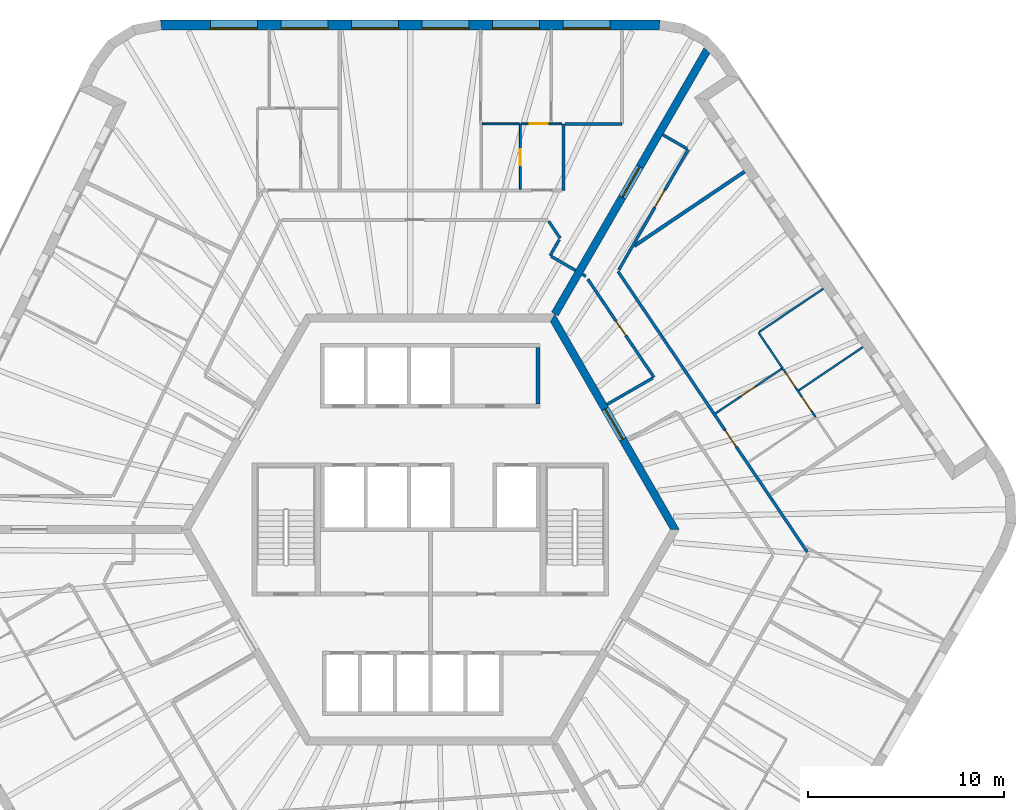
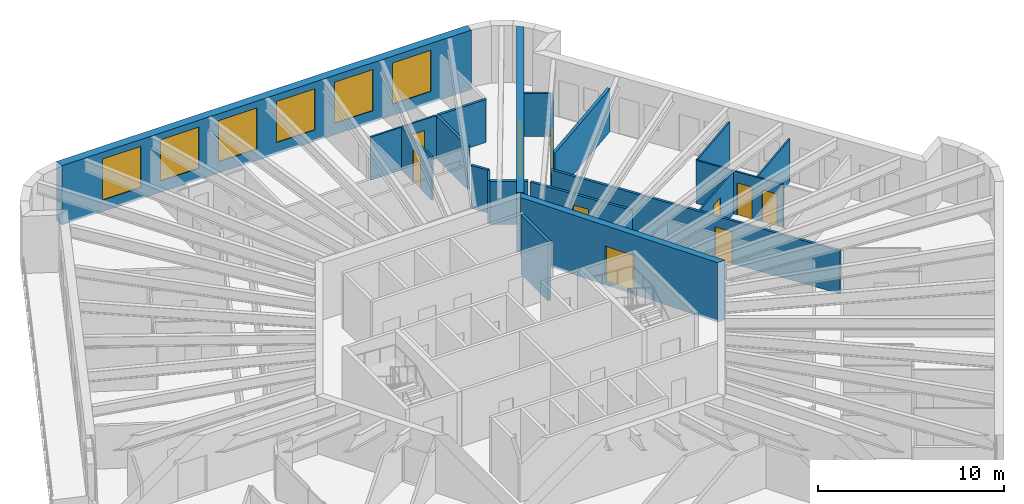
# One storey, part 10 of 12: 24 walls, 10 doors, 6 windows, 16 openings.
"""IFC4 building model written with IfcOpenShell, lengths in metres."""

from ifc_helpers import new_model, si_unit, direction, frame, frame_2d, origin, place, context, subcontext, project, spatial, polyline, rectangle, outline, extrude, material, layer, layer_set, type_object, element, fill, save


model = new_model("IFC4")

# Units and contexts
model_context = context("Model", 3, precision=1e-05, world=origin(), true_north=direction((0.0, 1.0)))
body_context = subcontext(model_context, "Body", "Model", "MODEL_VIEW")
ifc_project = project(units=[si_unit("LENGTHUNIT", "METRE"), si_unit("AREAUNIT", "SQUARE_METRE"), si_unit("VOLUMEUNIT", "CUBIC_METRE"), si_unit("PLANEANGLEUNIT", "RADIAN"), si_unit("MASSUNIT", "GRAM", prefix="KILO")], contexts=[model_context])

# Site, building, storey
site_placement = place(None, origin())
site = spatial("IfcSite", under=ifc_project, at=site_placement, CompositionType="ELEMENT")
building_placement = place(site_placement, origin())
building = spatial("IfcBuilding", under=site, at=building_placement, Name="Tarnside Tower", CompositionType="ELEMENT")
storey_placement = place(building_placement, frame((0.0, 0.0, 264.0)))
storey = spatial("IfcBuildingStorey", under=building, at=storey_placement, Name="L63", CompositionType="ELEMENT", Elevation=264.0)

# Wall, opening, door
ifc_material_1 = material(Name="Gypsum board partition on steel studs", Category="steel")
ifc_layer_1 = layer(ifc_material_1, 0.10009765625)
ifc_layer_set_1 = layer_set([ifc_layer_1], Name="Bathroom wall 100")
wall_type_1 = type_object("IfcWallType", Name="Bathroom wall 100", PredefinedType="PARTITIONING", material=ifc_layer_set_1)
wall_1_placement = place(storey_placement, frame((4.586181640625, 20.699951171875, 0.0), z_axis=(0.0, 0.0, 1.0), x_axis=(0.0, -1.0, 0.0)))
wall_1 = element("IfcWall", 1, at=wall_1_placement, inside=storey, type_object=wall_type_1, Name="Bathroom wall 20085", PredefinedType="PARTITIONING", context=body_context, shape_type="SweptSolid", body=[
    extrude(rectangle(XDim=3.324951171875, YDim=0.10009765625, at=frame_2d((1.66259765625, 0.0))), origin(), (0.0, 0.0, 1.0), 2.823486328125),
])
opening_1_placement = place(wall_1_placement, frame((1.300048828125, 0.0, 0.0)))
opening_1 = element("IfcOpeningElement", 2, at=opening_1_placement, cuts=wall_1, Name="Opening D-B1", PredefinedType="OPENING", context=body_context, shape_type="SweptSolid", body=[
    extrude(rectangle(XDim=0.800048828125, YDim=2.10009765625, at=frame_2d((0.39990234375, 1.050048828125))), frame((0.0, 0.06005859375, 0.0), z_axis=(0.0, -1.0, 0.0), x_axis=(1.0, 0.0, 0.0)), (0.0, 0.0, 1.0), 0.1201171875),
])
ifc_material_2 = material(Name="Timber door leaf", Category="wood")
door_type_1 = type_object("IfcDoorType", Name="Bathroom door 800", OperationType="NOTDEFINED", PredefinedType="DOOR", material=ifc_material_2)
door_1_placement = place(opening_1_placement, origin())
door_1 = element("IfcDoor", 3, at=door_1_placement, inside=storey, type_object=door_type_1, Name="Bathroom door 20002", OperationType="SINGLE_SWING_LEFT", OverallHeight=2.10009765625, OverallWidth=0.800048828125, PredefinedType="DOOR", context=body_context, shape_type="SweptSolid", body=[
    extrude(rectangle(XDim=0.800048828125, YDim=2.10009765625, at=frame_2d((0.39990234375, 1.050048828125))), frame((0.0, 0.02490234375, 0.0), z_axis=(0.0, -1.0, 0.0), x_axis=(1.0, 0.0, 0.0)), (0.0, 0.0, 1.0), 0.050048828125),
])
fill(opening_1, door_1)

# Wall
wall_2_placement = place(storey_placement, frame((4.5380859375, 20.699951171875, 0.0), z_axis=(0.0, 0.0, 1.0), x_axis=(-1.0, 0.0, 0.0)))
element("IfcWall", 4, at=wall_2_placement, inside=storey, type_object=wall_type_1, Name="Bathroom wall 20088", PredefinedType="PARTITIONING", context=body_context, shape_type="SweptSolid", body=[
    extrude(rectangle(XDim=1.904052734375, YDim=0.10009765625, at=frame_2d((0.9521484375, 0.0))), origin(), (0.0, 0.0, 1.0), 2.823486328125),
])

# Wall, opening, door
ifc_material_3 = material(Name="Concrete C60/75", Category="concrete")
ifc_layer_2 = layer(ifc_material_3, 0.39990234375)
ifc_layer_set_2 = layer_set([ifc_layer_2], Name="Core wall Z3 400 C60/75")
wall_type_2 = type_object("IfcWallType", Name="Core wall Z3 400 C60/75", PredefinedType="SHEAR", material=ifc_layer_set_2)
wall_3_placement = place(storey_placement, frame((12.470703125, 0.0, -0.14990234375), z_axis=(0.0, 0.0, 1.0), x_axis=(-0.499996419489, 0.866027470984, 0.0)))
wall_3 = element("IfcWall", 5, at=wall_3_placement, inside=storey, type_object=wall_type_2, Name="L63 core wall face 6", PredefinedType="SHEAR", context=body_context, shape_type="SweptSolid", body=[
    extrude(outline(polyline([(-0.115478515625, -0.199951171875), (12.586181640625, -0.199951171875), (12.355224609375, 0.199951171875), (0.115478515625, 0.199951171875), (-0.115478515625, -0.199951171875)])), origin(), (0.0, 0.0, 1.0), 3.89990234375),
])
opening_2_placement = place(wall_3_placement, frame((5.306396484375, 0.0, 0.14990234375)))
opening_2 = element("IfcOpeningElement", 6, at=opening_2_placement, cuts=wall_3, Name="Opening CD-LOB", PredefinedType="OPENING", context=body_context, shape_type="SweptSolid", body=[
    extrude(rectangle(XDim=1.800048828125, YDim=2.39990234375, at=frame_2d((0.89990234375, 1.199951171875))), frame((0.0, 0.2099609375, 0.0), z_axis=(0.0, -1.0, 0.0), x_axis=(1.0, 0.0, 0.0)), (0.0, 0.0, 1.0), 0.419921875),
])
ifc_material_4 = material(Name="Steel fire door", Category="steel")
door_type_2 = type_object("IfcDoorType", Name="Lobby double door FD30S 1800x2400", OperationType="NOTDEFINED", PredefinedType="DOOR", material=ifc_material_4)
door_2_placement = place(opening_2_placement, origin())
door_2 = element("IfcDoor", 7, at=door_2_placement, inside=storey, type_object=door_type_2, Name="L63 core door P2", OperationType="DOUBLE_DOOR_SINGLE_SWING", OverallHeight=2.39990234375, OverallWidth=1.800048828125, PredefinedType="DOOR", context=body_context, shape_type="SweptSolid", body=[
    extrude(rectangle(XDim=1.800048828125, YDim=2.39990234375, at=frame_2d((0.89990234375, 1.199951171875))), frame((0.0, 0.02490234375, 0.0), z_axis=(0.0, -1.0, 0.0), x_axis=(1.0, 0.0, 0.0)), (0.0, 0.0, 1.0), 0.050048828125),
])
fill(opening_2, door_2)

wall_4_placement = place(storey_placement, frame((6.350830078125, 11.0, -0.14990234375), z_axis=(0.0, 0.0, 1.0), x_axis=(0.499998894578, 0.866026041999, 0.0)))
wall_4 = element("IfcWall", 8, at=wall_4_placement, inside=storey, type_object=wall_type_2, Name="L63 spine wall 1", PredefinedType="SHEAR", context=body_context, shape_type="SweptSolid", body=[
    extrude(rectangle(XDim=15.54443359375, YDim=0.39990234375, at=frame_2d((7.772216796875, 0.0))), origin(), (0.0, 0.0, 1.0), 3.89990234375),
])
opening_3_placement = place(wall_4_placement, frame((6.872314453125, 0.0, 0.14990234375)))
opening_3 = element("IfcOpeningElement", 9, at=opening_3_placement, cuts=wall_4, Name="Opening CD-SPN", PredefinedType="OPENING", context=body_context, shape_type="SweptSolid", body=[
    extrude(rectangle(XDim=1.800048828125, YDim=2.39990234375, at=frame_2d((0.89990234375, 1.199951171875))), frame((0.0, 0.2099609375, 0.0), z_axis=(0.0, -1.0, 0.0), x_axis=(1.0, 0.0, 0.0)), (0.0, 0.0, 1.0), 0.419921875),
])
door_type_3 = type_object("IfcDoorType", Name="Spine passage double door FD60 1800x2400", OperationType="NOTDEFINED", PredefinedType="DOOR", material=ifc_material_4)
door_3_placement = place(opening_3_placement, origin())
door_3 = element("IfcDoor", 10, at=door_3_placement, inside=storey, type_object=door_type_3, Name="L63 spine passage door 1", OperationType="DOUBLE_DOOR_SINGLE_SWING", OverallHeight=2.39990234375, OverallWidth=1.800048828125, PredefinedType="DOOR", context=body_context, shape_type="SweptSolid", body=[
    extrude(rectangle(XDim=1.800048828125, YDim=2.39990234375, at=frame_2d((0.89990234375, 1.199951171875))), frame((0.0, 0.02490234375, 0.0), z_axis=(0.0, -1.0, 0.0), x_axis=(1.0, 0.0, 0.0)), (0.0, 0.0, 1.0), 0.050048828125),
])
fill(opening_3, door_3)

# Walls
ifc_layer_3 = layer(ifc_material_1, 0.14990234375)
ifc_layer_set_3 = layer_set([ifc_layer_3], Name="Corridor wall 150 EI 60")
wall_type_3 = type_object("IfcWallType", Name="Corridor wall 150 EI 60", PredefinedType="PARTITIONING", material=ifc_layer_set_3)
wall_5_placement = place(storey_placement, frame((6.7861328125, 20.699951171875, 0.0), z_axis=(0.0, 0.0, 1.0), x_axis=(0.0, -1.0, 0.0)))
element("IfcWall", 11, at=wall_5_placement, inside=storey, type_object=wall_type_3, Name="Corridor wall 20002", PredefinedType="PARTITIONING", context=body_context, shape_type="SweptSolid", body=[
    extrude(rectangle(XDim=3.39990234375, YDim=0.14990234375, at=frame_2d((1.699951171875, 0.0))), origin(), (0.0, 0.0, 1.0), 2.823486328125),
])
wall_6_placement = place(storey_placement, frame((9.77392578125, 20.699951171875, 0.0), z_axis=(0.0, 0.0, 1.0), x_axis=(-1.0, 0.0, 0.0)))
element("IfcWall", 12, at=wall_6_placement, inside=storey, type_object=wall_type_3, Name="Corridor wall 20005", PredefinedType="PARTITIONING", context=body_context, shape_type="SweptSolid", body=[
    extrude(rectangle(XDim=2.916259765625, YDim=0.14990234375, at=frame_2d((1.4580078125, 0.0))), origin(), (0.0, 0.0, 1.0), 2.823486328125),
])
wall_7_placement = place(storey_placement, frame((6.0390625, 15.72509765625, 0.0), z_axis=(0.0, 0.0, 1.0), x_axis=(0.559307154107, -0.828960498073, 0.0)))
element("IfcWall", 13, at=wall_7_placement, inside=storey, type_object=wall_type_3, Name="Corridor wall 20020", PredefinedType="PARTITIONING", context=body_context, shape_type="SweptSolid", body=[
    extrude(rectangle(XDim=1.03759765625, YDim=0.14990234375, at=frame_2d((0.518798828125, 0.0))), origin(), (0.0, 0.0, 1.0), 2.823486328125),
])
wall_8_placement = place(storey_placement, frame((6.57763671875, 14.792724609375, 0.0), z_axis=(0.0, 0.0, 1.0), x_axis=(-0.499998034377, -0.866026538634, 0.0)))
element("IfcWall", 14, at=wall_8_placement, inside=storey, type_object=wall_type_3, Name="Corridor wall 20021", PredefinedType="PARTITIONING", context=body_context, shape_type="SweptSolid", body=[
    extrude(rectangle(XDim=0.94580078125, YDim=0.14990234375, at=frame_2d((0.472900390625, 0.0))), origin(), (0.0, 0.0, 1.0), 2.823486328125),
])
wall_9_placement = place(storey_placement, frame((6.169677734375, 13.936279296875, 0.0), z_axis=(0.0, 0.0, 1.0), x_axis=(0.865988727248, -0.500063520245, 0.0)))
element("IfcWall", 15, at=wall_9_placement, inside=storey, type_object=wall_type_3, Name="Corridor wall 20022", PredefinedType="PARTITIONING", context=body_context, shape_type="SweptSolid", body=[
    extrude(rectangle(XDim=1.425048828125, YDim=0.14990234375, at=frame_2d((0.71240234375, 0.0))), origin(), (0.0, 0.0, 1.0), 2.823486328125),
])

# Wall, opening, door
wall_10_placement = place(storey_placement, frame((19.22802734375, -1.14599609375, 0.0), z_axis=(0.0, 0.0, 1.0), x_axis=(-0.559190017735, 0.829039519001, 0.0)))
wall_10 = element("IfcWall", 16, at=wall_10_placement, inside=storey, type_object=wall_type_3, Name="Corridor wall 20059", PredefinedType="PARTITIONING", context=body_context, shape_type="SweptSolid", body=[
    extrude(rectangle(XDim=17.273193359375, YDim=0.14990234375, at=frame_2d((8.63671875, 0.0))), origin(), (0.0, 0.0, 1.0), 2.823486328125),
])
opening_4_placement = place(wall_10_placement, frame((6.4775390625, 0.0, 0.0)))
opening_4 = element("IfcOpeningElement", 17, at=opening_4_placement, cuts=wall_10, Name="Opening D-E1", PredefinedType="OPENING", context=body_context, shape_type="SweptSolid", body=[
    extrude(rectangle(XDim=1.0, YDim=2.10009765625, at=frame_2d((0.5, 1.050048828125))), frame((0.0, 0.0849609375, 0.0), z_axis=(0.0, -1.0, 0.0), x_axis=(1.0, 0.0, 0.0)), (0.0, 0.0, 1.0), 0.169921875),
])
door_type_4 = type_object("IfcDoorType", Name="Unit entrance door 1000 FD30S", OperationType="NOTDEFINED", PredefinedType="DOOR", material=ifc_material_2)
door_4_placement = place(opening_4_placement, origin())
door_4 = element("IfcDoor", 18, at=door_4_placement, inside=storey, type_object=door_type_4, Name="Unit door 20065", OperationType="SINGLE_SWING_RIGHT", OverallHeight=2.10009765625, OverallWidth=1.0, PredefinedType="DOOR", context=body_context, shape_type="SweptSolid", body=[
    extrude(rectangle(XDim=1.0, YDim=2.10009765625, at=frame_2d((0.5, 1.050048828125))), frame((0.0, 0.02490234375, 0.0), z_axis=(0.0, -1.0, 0.0), x_axis=(1.0, 0.0, 0.0)), (0.0, 0.0, 1.0), 0.050048828125),
])
fill(opening_4, door_4)

wall_11_placement = place(storey_placement, frame((9.61083984375, 13.246337890625, 0.0), z_axis=(0.0, 0.0, 1.0), x_axis=(0.499994435258, 0.866028616566, 0.0)))
wall_11 = element("IfcWall", 19, at=wall_11_placement, inside=storey, type_object=wall_type_3, Name="Corridor wall 20064", PredefinedType="PARTITIONING", context=body_context, shape_type="SweptSolid", body=[
    extrude(rectangle(XDim=7.0966796875, YDim=0.14990234375, at=frame_2d((3.54833984375, 0.0))), origin(), (0.0, 0.0, 1.0), 2.823486328125),
])
opening_5_placement = place(wall_11_placement, frame((3.696044921875, 0.0, 0.0)))
opening_5 = element("IfcOpeningElement", 20, at=opening_5_placement, cuts=wall_11, Name="Opening D-E1", PredefinedType="OPENING", context=body_context, shape_type="SweptSolid", body=[
    extrude(rectangle(XDim=1.0, YDim=2.10009765625, at=frame_2d((0.5, 1.050048828125))), frame((0.0, 0.0849609375, 0.0), z_axis=(0.0, -1.0, 0.0), x_axis=(1.0, 0.0, 0.0)), (0.0, 0.0, 1.0), 0.169921875),
])
door_5_placement = place(opening_5_placement, origin())
door_5 = element("IfcDoor", 21, at=door_5_placement, inside=storey, type_object=door_type_4, Name="Unit door 20070", OperationType="SINGLE_SWING_RIGHT", OverallHeight=2.10009765625, OverallWidth=1.0, PredefinedType="DOOR", context=body_context, shape_type="SweptSolid", body=[
    extrude(rectangle(XDim=1.0, YDim=2.10009765625, at=frame_2d((0.5, 1.050048828125))), frame((0.0, 0.02490234375, 0.0), z_axis=(0.0, -1.0, 0.0), x_axis=(1.0, 0.0, 0.0)), (0.0, 0.0, 1.0), 0.050048828125),
])
fill(opening_5, door_5)

# Walls
wall_12_placement = place(storey_placement, frame((13.09423828125, 19.429931640625, 0.0), z_axis=(0.0, 0.0, 1.0), x_axis=(-0.866062911188, 0.499935029643, 0.0)))
element("IfcWall", 22, at=wall_12_placement, inside=storey, type_object=wall_type_3, Name="Corridor wall 20068", PredefinedType="PARTITIONING", context=body_context, shape_type="SweptSolid", body=[
    extrude(rectangle(XDim=1.425048828125, YDim=0.14990234375, at=frame_2d((0.71240234375, 0.0))), origin(), (0.0, 0.0, 1.0), 2.823486328125),
])
wall_13_placement = place(storey_placement, frame((7.750244140625, 13.023681640625, 0.0), z_axis=(0.0, 0.0, 1.0), x_axis=(0.866088799389, -0.499890179513, 0.0)))
element("IfcWall", 23, at=wall_13_placement, inside=storey, type_object=wall_type_3, Name="Corridor wall 20078", PredefinedType="PARTITIONING", context=body_context, shape_type="SweptSolid", body=[
    extrude(rectangle(XDim=0.2099609375, YDim=0.14990234375, at=frame_2d((0.10498046875, 0.0))), origin(), (0.0, 0.0, 1.0), 2.823486328125),
])

# Wall, opening, door
wall_14_placement = place(storey_placement, frame((8.02783203125, 12.77685546875, 0.0), z_axis=(0.0, 0.0, 1.0), x_axis=(0.559175239609, -0.829049486707, 0.0)))
wall_14 = element("IfcWall", 24, at=wall_14_placement, inside=storey, type_object=wall_type_3, Name="Corridor wall 20079", PredefinedType="PARTITIONING", context=body_context, shape_type="SweptSolid", body=[
    extrude(rectangle(XDim=6.044921875, YDim=0.14990234375, at=frame_2d((3.0224609375, 0.0))), origin(), (0.0, 0.0, 1.0), 2.823486328125),
])
opening_6_placement = place(wall_14_placement, frame((2.572265625, 0.0, 0.0)))
opening_6 = element("IfcOpeningElement", 25, at=opening_6_placement, cuts=wall_14, Name="Opening D-S1", PredefinedType="OPENING", context=body_context, shape_type="SweptSolid", body=[
    extrude(rectangle(XDim=0.89990234375, YDim=2.10009765625, at=frame_2d((0.449951171875, 1.050048828125))), frame((0.0, 0.0849609375, 0.0), z_axis=(0.0, -1.0, 0.0), x_axis=(1.0, 0.0, 0.0)), (0.0, 0.0, 1.0), 0.169921875),
])
door_type_5 = type_object("IfcDoorType", Name="Service room door 900 FD30S", OperationType="NOTDEFINED", PredefinedType="DOOR", material=ifc_material_2)
door_6_placement = place(opening_6_placement, origin())
door_6 = element("IfcDoor", 26, at=door_6_placement, inside=storey, type_object=door_type_5, Name="Service door 20077", OperationType="SINGLE_SWING_RIGHT", OverallHeight=2.10009765625, OverallWidth=0.89990234375, PredefinedType="DOOR", context=body_context, shape_type="SweptSolid", body=[
    extrude(rectangle(XDim=0.89990234375, YDim=2.10009765625, at=frame_2d((0.449951171875, 1.050048828125))), frame((0.0, 0.02490234375, 0.0), z_axis=(0.0, -1.0, 0.0), x_axis=(1.0, 0.0, 0.0)), (0.0, 0.0, 1.0), 0.050048828125),
])
fill(opening_6, door_6)

# Walls
wall_15_placement = place(storey_placement, frame((11.3427734375, 7.727783203125, 0.0), z_axis=(0.0, 0.0, 1.0), x_axis=(-0.866037314867, -0.499979368833, 0.0)))
element("IfcWall", 27, at=wall_15_placement, inside=storey, type_object=wall_type_3, Name="Corridor wall 20080", PredefinedType="PARTITIONING", context=body_context, shape_type="SweptSolid", body=[
    extrude(rectangle(XDim=2.68701171875, YDim=0.14990234375, at=frame_2d((1.343505859375, 0.0))), origin(), (0.0, 0.0, 1.0), 2.823486328125),
])
ifc_layer_4 = layer(ifc_material_1, 0.179931640625)
ifc_layer_set_4 = layer_set([ifc_layer_4], Name="Demising wall 180 EI 60")
wall_type_4 = type_object("IfcWallType", Name="Demising wall 180 EI 60", PredefinedType="PARTITIONING", material=ifc_layer_set_4)
wall_16_placement = place(storey_placement, frame((16.029296875, 18.260498046875, 0.0), z_axis=(0.0, 0.0, 1.0), x_axis=(-0.82904538001, -0.559181328268, 0.0)))
element("IfcWall", 28, at=wall_16_placement, inside=storey, type_object=wall_type_4, Name="Demising wall 20162", PredefinedType="PARTITIONING", context=body_context, shape_type="SweptSolid", body=[
    extrude(rectangle(XDim=6.78955078125, YDim=0.179931640625, at=frame_2d((3.394775390625, 0.0))), origin(), (0.0, 0.0, 1.0), 2.823486328125),
])
ifc_material_5 = material(Name="Concrete C40/50", Category="concrete")
ifc_layer_5 = layer(ifc_material_5, 0.199951171875)
ifc_layer_set_5 = layer_set([ifc_layer_5], Name="Lift shaft wall 200 C40/50")
wall_type_5 = type_object("IfcWallType", Name="Lift shaft wall 200 C40/50", PredefinedType="SHEAR", material=ifc_layer_set_5)
wall_17_placement = place(storey_placement, frame((5.5, 6.39990234375, -0.25), z_axis=(0.0, 0.0, 1.0), x_axis=(0.0, 1.0, 0.0)))
element("IfcWall", 29, at=wall_17_placement, inside=storey, type_object=wall_type_5, Name="L63 lift shaft partition R16", PredefinedType="SHEAR", context=body_context, shape_type="SweptSolid", body=[
    extrude(rectangle(XDim=2.900146484375, YDim=0.199951171875, at=frame_2d((1.4501953125, 0.0))), origin(), (0.0, 0.0, 1.0), 3.89990234375),
])

# Wall, opening, door
ifc_layer_6 = layer(ifc_material_1, 0.10009765625)
ifc_layer_set_6 = layer_set([ifc_layer_6], Name="Partition 100")
wall_type_6 = type_object("IfcWallType", Name="Partition 100", PredefinedType="PARTITIONING", material=ifc_layer_set_6)
wall_18_placement = place(storey_placement, frame((6.713134765625, 20.699951171875, 0.0), z_axis=(0.0, 0.0, 1.0), x_axis=(-1.0, 0.0, 0.0)))
wall_18 = element("IfcWall", 30, at=wall_18_placement, inside=storey, type_object=wall_type_6, Name="Partition wall 20086", PredefinedType="PARTITIONING", context=body_context, shape_type="SweptSolid", body=[
    extrude(rectangle(XDim=2.0791015625, YDim=0.10009765625, at=frame_2d((1.03955078125, 0.0))), origin(), (0.0, 0.0, 1.0), 2.823486328125),
])
opening_7_placement = place(wall_18_placement, frame((0.738037109375, 0.0, 0.0)))
opening_7 = element("IfcOpeningElement", 31, at=opening_7_placement, cuts=wall_18, Name="Opening D-I1", PredefinedType="OPENING", context=body_context, shape_type="SweptSolid", body=[
    extrude(rectangle(XDim=0.89990234375, YDim=2.10009765625, at=frame_2d((0.449951171875, 1.050048828125))), frame((0.0, 0.06005859375, 0.0), z_axis=(0.0, -1.0, 0.0), x_axis=(1.0, 0.0, 0.0)), (0.0, 0.0, 1.0), 0.1201171875),
])
door_type_6 = type_object("IfcDoorType", Name="Internal door 900", OperationType="NOTDEFINED", PredefinedType="DOOR", material=ifc_material_2)
door_7_placement = place(opening_7_placement, origin())
door_7 = element("IfcDoor", 32, at=door_7_placement, inside=storey, type_object=door_type_6, Name="Internal door 20005", OperationType="SINGLE_SWING_RIGHT", OverallHeight=2.10009765625, OverallWidth=0.89990234375, PredefinedType="DOOR", context=body_context, shape_type="SweptSolid", body=[
    extrude(rectangle(XDim=0.89990234375, YDim=2.10009765625, at=frame_2d((0.449951171875, 1.050048828125))), frame((0.0, 0.02490234375, 0.0), z_axis=(0.0, -1.0, 0.0), x_axis=(1.0, 0.0, 0.0)), (0.0, 0.0, 1.0), 0.050048828125),
])
fill(opening_7, door_7)

wall_19_placement = place(storey_placement, frame((14.5498046875, 5.924072265625, 0.0), z_axis=(0.0, 0.0, 1.0), x_axis=(0.829005765264, 0.559240056827, 0.0)))
wall_19 = element("IfcWall", 33, at=wall_19_placement, inside=storey, type_object=wall_type_6, Name="Partition wall 20159", PredefinedType="PARTITIONING", context=body_context, shape_type="SweptSolid", body=[
    extrude(rectangle(XDim=4.125, YDim=0.10009765625, at=frame_2d((2.0625, 0.0))), origin(), (0.0, 0.0, 1.0), 2.823486328125),
])
opening_8_placement = place(wall_19_placement, frame((1.574951171875, 0.0, 0.0)))
opening_8 = element("IfcOpeningElement", 34, at=opening_8_placement, cuts=wall_19, Name="Opening D-I1", PredefinedType="OPENING", context=body_context, shape_type="SweptSolid", body=[
    extrude(rectangle(XDim=0.89990234375, YDim=2.10009765625, at=frame_2d((0.449951171875, 1.050048828125))), frame((0.0, 0.06005859375, 0.0), z_axis=(0.0, -1.0, 0.0), x_axis=(1.0, 0.0, 0.0)), (0.0, 0.0, 1.0), 0.1201171875),
])
door_8_placement = place(opening_8_placement, origin())
door_8 = element("IfcDoor", 35, at=door_8_placement, inside=storey, type_object=door_type_6, Name="Internal door 20067", OperationType="SINGLE_SWING_RIGHT", OverallHeight=2.10009765625, OverallWidth=0.89990234375, PredefinedType="DOOR", context=body_context, shape_type="SweptSolid", body=[
    extrude(rectangle(XDim=0.89990234375, YDim=2.10009765625, at=frame_2d((0.449951171875, 1.050048828125))), frame((0.0, 0.02490234375, 0.0), z_axis=(0.0, -1.0, 0.0), x_axis=(1.0, 0.0, 0.0)), (0.0, 0.0, 1.0), 0.050048828125),
])
fill(opening_8, door_8)

# Walls
wall_20_placement = place(storey_placement, frame((17.970703125, 8.229248046875, 0.0), z_axis=(0.0, 0.0, 1.0), x_axis=(-0.559246231198, 0.829001600053, 0.0)))
element("IfcWall", 36, at=wall_20_placement, inside=storey, type_object=wall_type_6, Name="Partition wall 20160", PredefinedType="PARTITIONING", context=body_context, shape_type="SweptSolid", body=[
    extrude(rectangle(XDim=2.201904296875, YDim=0.10009765625, at=frame_2d((1.10107421875, 0.0))), origin(), (0.0, 0.0, 1.0), 2.823486328125),
])
wall_21_placement = place(storey_placement, frame((16.78076171875, 10.082763671875, 0.0), z_axis=(0.0, 0.0, 1.0), x_axis=(0.829042808667, 0.559185140536, 0.0)))
element("IfcWall", 37, at=wall_21_placement, inside=storey, type_object=wall_type_6, Name="Partition wall 20161", PredefinedType="PARTITIONING", context=body_context, shape_type="SweptSolid", body=[
    extrude(rectangle(XDim=3.949951171875, YDim=0.10009765625, at=frame_2d((1.97509765625, 0.0))), origin(), (0.0, 0.0, 1.0), 2.823486328125),
])

# Wall, openings, doors
wall_22_placement = place(storey_placement, frame((19.648193359375, 5.7421875, 0.0), z_axis=(0.0, 0.0, 1.0), x_axis=(-0.559193191328, 0.829037378393, 0.0)))
wall_22 = element("IfcWall", 38, at=wall_22_placement, inside=storey, type_object=wall_type_6, Name="Partition wall 20164", PredefinedType="PARTITIONING", context=body_context, shape_type="SweptSolid", body=[
    extrude(rectangle(XDim=2.9541015625, YDim=0.10009765625, at=frame_2d((1.47705078125, 0.0))), origin(), (0.0, 0.0, 1.0), 2.823486328125),
])
opening_9_placement = place(wall_22_placement, frame((0.35205078125, 0.0, 0.0)))
opening_9 = element("IfcOpeningElement", 39, at=opening_9_placement, cuts=wall_22, Name="Opening D-I1", PredefinedType="OPENING", context=body_context, shape_type="SweptSolid", body=[
    extrude(rectangle(XDim=0.89990234375, YDim=2.10009765625, at=frame_2d((0.449951171875, 1.050048828125))), frame((0.0, 0.06005859375, 0.0), z_axis=(0.0, -1.0, 0.0), x_axis=(1.0, 0.0, 0.0)), (0.0, 0.0, 1.0), 0.1201171875),
])
opening_10_placement = place(wall_22_placement, frame((1.85205078125, 0.0, 0.0)))
opening_10 = element("IfcOpeningElement", 40, at=opening_10_placement, cuts=wall_22, Name="Opening D-I1", PredefinedType="OPENING", context=body_context, shape_type="SweptSolid", body=[
    extrude(rectangle(XDim=0.89990234375, YDim=2.10009765625, at=frame_2d((0.449951171875, 1.050048828125))), frame((0.0, 0.06005859375, 0.0), z_axis=(0.0, -1.0, 0.0), x_axis=(1.0, 0.0, 0.0)), (0.0, 0.0, 1.0), 0.1201171875),
])
door_9_placement = place(opening_9_placement, origin())
door_9 = element("IfcDoor", 41, at=door_9_placement, inside=storey, type_object=door_type_6, Name="Internal door 20068", OperationType="SINGLE_SWING_RIGHT", OverallHeight=2.10009765625, OverallWidth=0.89990234375, PredefinedType="DOOR", context=body_context, shape_type="SweptSolid", body=[
    extrude(rectangle(XDim=0.89990234375, YDim=2.10009765625, at=frame_2d((0.449951171875, 1.050048828125))), frame((0.0, 0.02490234375, 0.0), z_axis=(0.0, -1.0, 0.0), x_axis=(1.0, 0.0, 0.0)), (0.0, 0.0, 1.0), 0.050048828125),
])
fill(opening_9, door_9)
door_10_placement = place(opening_10_placement, origin())
door_10 = element("IfcDoor", 42, at=door_10_placement, inside=storey, type_object=door_type_6, Name="Internal door 20069", OperationType="SINGLE_SWING_LEFT", OverallHeight=2.10009765625, OverallWidth=0.89990234375, PredefinedType="DOOR", context=body_context, shape_type="SweptSolid", body=[
    extrude(rectangle(XDim=0.89990234375, YDim=2.10009765625, at=frame_2d((0.449951171875, 1.050048828125))), frame((0.0, 0.02490234375, 0.0), z_axis=(0.0, -1.0, 0.0), x_axis=(1.0, 0.0, 0.0)), (0.0, 0.0, 1.0), 0.050048828125),
])
fill(opening_10, door_10)

# Wall
wall_23_placement = place(storey_placement, frame((22.068603515625, 9.306884765625, 0.0), z_axis=(0.0, 0.0, 1.0), x_axis=(-0.829062134085, -0.559156487779, 0.0)))
element("IfcWall", 43, at=wall_23_placement, inside=storey, type_object=wall_type_6, Name="Partition wall 20167", PredefinedType="PARTITIONING", context=body_context, shape_type="SweptSolid", body=[
    extrude(rectangle(XDim=3.9501953125, YDim=0.10009765625, at=frame_2d((1.97509765625, 0.0))), origin(), (0.0, 0.0, 1.0), 2.823486328125),
])

# Wall, openings, windows
ifc_material_6 = material(Name="Facing brick", Category="masonry")
ifc_layer_7 = layer(ifc_material_6, 0.10205078125)
ifc_material_7 = material(Name="Concrete C60/75 precast", Category="concrete")
ifc_layer_8 = layer(ifc_material_7, 0.298095703125)
ifc_material_8 = material(Name="Mineral wool insulation")
ifc_layer_9 = layer(ifc_material_8, 0.10009765625)
ifc_layer_set_7 = layer_set([ifc_layer_7, ifc_layer_8, ifc_layer_9], Name="Tube wall 500 brick faced")
wall_type_7 = type_object("IfcWallType", Name="Tube wall 500 brick faced", PredefinedType="SOLIDWALL", material=ifc_layer_set_7)
wall_24_placement = place(storey_placement, frame((11.697509765625, 25.75, -0.14990234375), z_axis=(0.0, 0.0, 1.0), x_axis=(-1.0, 0.0, 0.0)))
wall_24 = element("IfcWall", 44, at=wall_24_placement, inside=storey, type_object=wall_type_7, Name="Tube wall L63 F1 flush 00", PredefinedType="SOLIDWALL", context=body_context, shape_type="SweptSolid", body=[
    extrude(outline(polyline([(-0.0205078125, -0.25), (25.468017578125, -0.25), (25.421142578125, 0.25), (0.0205078125, 0.25), (-0.0205078125, -0.25)])), origin(), (0.0, 0.0, 1.0), 3.89990234375),
])
opening_11_placement = place(wall_24_placement, frame((2.5224609375, 0.0, 0.75)))
opening_11 = element("IfcOpeningElement", 45, at=opening_11_placement, cuts=wall_24, Name="Opening WR", PredefinedType="OPENING", context=body_context, shape_type="SweptSolid", body=[
    extrude(rectangle(XDim=2.39990234375, YDim=2.699951171875, at=frame_2d((1.199951171875, 1.35009765625))), frame((0.0, 0.260009765625, 0.0), z_axis=(0.0, -1.0, 0.0), x_axis=(1.0, 0.0, 0.0)), (0.0, 0.0, 1.0), 0.52001953125),
])
opening_12_placement = place(wall_24_placement, frame((6.122314453125, 0.0, 0.75)))
opening_12 = element("IfcOpeningElement", 46, at=opening_12_placement, cuts=wall_24, Name="Opening WR", PredefinedType="OPENING", context=body_context, shape_type="SweptSolid", body=[
    extrude(rectangle(XDim=2.39990234375, YDim=2.699951171875, at=frame_2d((1.199951171875, 1.35009765625))), frame((0.0, 0.260009765625, 0.0), z_axis=(0.0, -1.0, 0.0), x_axis=(1.0, 0.0, 0.0)), (0.0, 0.0, 1.0), 0.52001953125),
])
opening_13_placement = place(wall_24_placement, frame((9.722412109375, 0.0, 0.75)))
opening_13 = element("IfcOpeningElement", 47, at=opening_13_placement, cuts=wall_24, Name="Opening WR", PredefinedType="OPENING", context=body_context, shape_type="SweptSolid", body=[
    extrude(rectangle(XDim=2.39990234375, YDim=2.699951171875, at=frame_2d((1.199951171875, 1.35009765625))), frame((0.0, 0.260009765625, 0.0), z_axis=(0.0, -1.0, 0.0), x_axis=(1.0, 0.0, 0.0)), (0.0, 0.0, 1.0), 0.52001953125),
])
opening_14_placement = place(wall_24_placement, frame((13.322509765625, 0.0, 0.75)))
opening_14 = element("IfcOpeningElement", 48, at=opening_14_placement, cuts=wall_24, Name="Opening WR", PredefinedType="OPENING", context=body_context, shape_type="SweptSolid", body=[
    extrude(rectangle(XDim=2.39990234375, YDim=2.699951171875, at=frame_2d((1.199951171875, 1.35009765625))), frame((0.0, 0.260009765625, 0.0), z_axis=(0.0, -1.0, 0.0), x_axis=(1.0, 0.0, 0.0)), (0.0, 0.0, 1.0), 0.52001953125),
])
opening_15_placement = place(wall_24_placement, frame((16.92236328125, 0.0, 0.75)))
opening_15 = element("IfcOpeningElement", 49, at=opening_15_placement, cuts=wall_24, Name="Opening WR", PredefinedType="OPENING", context=body_context, shape_type="SweptSolid", body=[
    extrude(rectangle(XDim=2.39990234375, YDim=2.699951171875, at=frame_2d((1.199951171875, 1.35009765625))), frame((0.0, 0.260009765625, 0.0), z_axis=(0.0, -1.0, 0.0), x_axis=(1.0, 0.0, 0.0)), (0.0, 0.0, 1.0), 0.52001953125),
])
opening_16_placement = place(wall_24_placement, frame((20.5224609375, 0.0, 0.75)))
opening_16 = element("IfcOpeningElement", 50, at=opening_16_placement, cuts=wall_24, Name="Opening WR", PredefinedType="OPENING", context=body_context, shape_type="SweptSolid", body=[
    extrude(rectangle(XDim=2.39990234375, YDim=2.699951171875, at=frame_2d((1.199951171875, 1.35009765625))), frame((0.0, 0.260009765625, 0.0), z_axis=(0.0, -1.0, 0.0), x_axis=(1.0, 0.0, 0.0)), (0.0, 0.0, 1.0), 0.52001953125),
])
ifc_material_9 = material(Name="Aluminium-framed double glazing", Category="aluminium")
window_type = type_object("IfcWindowType", Name="Residence window 2400 x 2700", PartitioningType="DOUBLE_PANEL_VERTICAL", PredefinedType="WINDOW", material=ifc_material_9)
window_1_placement = place(opening_11_placement, frame((0.0, 0.179931640625, 0.0)))
window_1 = element("IfcWindow", 51, at=window_1_placement, inside=storey, type_object=window_type, Name="E.WN.L63.F1.00", OverallHeight=2.699951171875, OverallWidth=2.39990234375, PartitioningType="DOUBLE_PANEL_VERTICAL", PredefinedType="WINDOW", context=body_context, shape_type="SweptSolid", body=[
    extrude(rectangle(XDim=2.39990234375, YDim=2.699951171875, at=frame_2d((1.199951171875, 1.35009765625))), frame((0.0, 0.030029296875, 0.0), z_axis=(0.0, -1.0, 0.0), x_axis=(1.0, 0.0, 0.0)), (0.0, 0.0, 1.0), 0.06005859375),
])
fill(opening_11, window_1)
window_2_placement = place(opening_12_placement, frame((0.0, 0.179931640625, 0.0)))
window_2 = element("IfcWindow", 52, at=window_2_placement, inside=storey, type_object=window_type, Name="E.WN.L63.F1.01", OverallHeight=2.699951171875, OverallWidth=2.39990234375, PartitioningType="DOUBLE_PANEL_VERTICAL", PredefinedType="WINDOW", context=body_context, shape_type="SweptSolid", body=[
    extrude(rectangle(XDim=2.39990234375, YDim=2.699951171875, at=frame_2d((1.199951171875, 1.35009765625))), frame((0.0, 0.030029296875, 0.0), z_axis=(0.0, -1.0, 0.0), x_axis=(1.0, 0.0, 0.0)), (0.0, 0.0, 1.0), 0.06005859375),
])
fill(opening_12, window_2)
window_3_placement = place(opening_13_placement, frame((0.0, 0.179931640625, 0.0)))
window_3 = element("IfcWindow", 53, at=window_3_placement, inside=storey, type_object=window_type, Name="E.WN.L63.F1.02", OverallHeight=2.699951171875, OverallWidth=2.39990234375, PartitioningType="DOUBLE_PANEL_VERTICAL", PredefinedType="WINDOW", context=body_context, shape_type="SweptSolid", body=[
    extrude(rectangle(XDim=2.39990234375, YDim=2.699951171875, at=frame_2d((1.199951171875, 1.35009765625))), frame((0.0, 0.030029296875, 0.0), z_axis=(0.0, -1.0, 0.0), x_axis=(1.0, 0.0, 0.0)), (0.0, 0.0, 1.0), 0.06005859375),
])
fill(opening_13, window_3)
window_4_placement = place(opening_14_placement, frame((0.0, 0.179931640625, 0.0)))
window_4 = element("IfcWindow", 54, at=window_4_placement, inside=storey, type_object=window_type, Name="E.WN.L63.F1.03", OverallHeight=2.699951171875, OverallWidth=2.39990234375, PartitioningType="DOUBLE_PANEL_VERTICAL", PredefinedType="WINDOW", context=body_context, shape_type="SweptSolid", body=[
    extrude(rectangle(XDim=2.39990234375, YDim=2.699951171875, at=frame_2d((1.199951171875, 1.35009765625))), frame((0.0, 0.030029296875, 0.0), z_axis=(0.0, -1.0, 0.0), x_axis=(1.0, 0.0, 0.0)), (0.0, 0.0, 1.0), 0.06005859375),
])
fill(opening_14, window_4)
window_5_placement = place(opening_15_placement, frame((0.0, 0.179931640625, 0.0)))
window_5 = element("IfcWindow", 55, at=window_5_placement, inside=storey, type_object=window_type, Name="E.WN.L63.F1.04", OverallHeight=2.699951171875, OverallWidth=2.39990234375, PartitioningType="DOUBLE_PANEL_VERTICAL", PredefinedType="WINDOW", context=body_context, shape_type="SweptSolid", body=[
    extrude(rectangle(XDim=2.39990234375, YDim=2.699951171875, at=frame_2d((1.199951171875, 1.35009765625))), frame((0.0, 0.030029296875, 0.0), z_axis=(0.0, -1.0, 0.0), x_axis=(1.0, 0.0, 0.0)), (0.0, 0.0, 1.0), 0.06005859375),
])
fill(opening_15, window_5)
window_6_placement = place(opening_16_placement, frame((0.0, 0.179931640625, 0.0)))
window_6 = element("IfcWindow", 56, at=window_6_placement, inside=storey, type_object=window_type, Name="E.WN.L63.F1.05", OverallHeight=2.699951171875, OverallWidth=2.39990234375, PartitioningType="DOUBLE_PANEL_VERTICAL", PredefinedType="WINDOW", context=body_context, shape_type="SweptSolid", body=[
    extrude(rectangle(XDim=2.39990234375, YDim=2.699951171875, at=frame_2d((1.199951171875, 1.35009765625))), frame((0.0, 0.030029296875, 0.0), z_axis=(0.0, -1.0, 0.0), x_axis=(1.0, 0.0, 0.0)), (0.0, 0.0, 1.0), 0.06005859375),
])
fill(opening_16, window_6)

save(model, "model.ifc")
